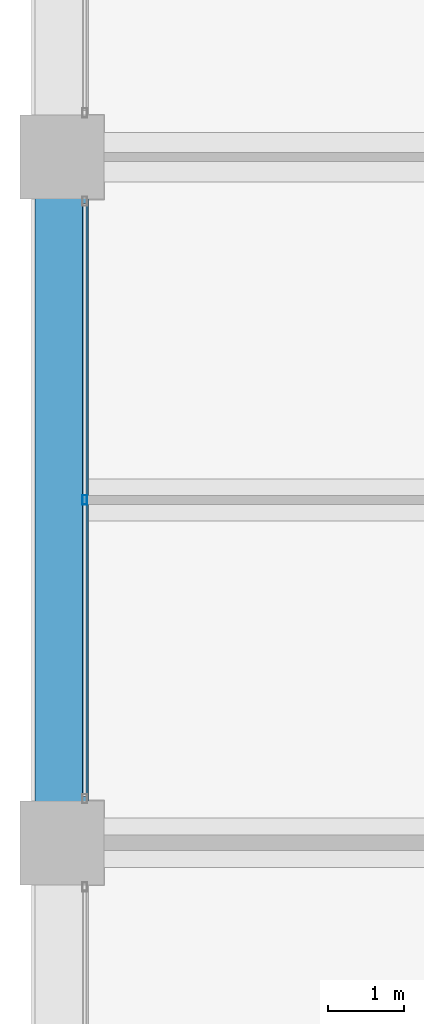
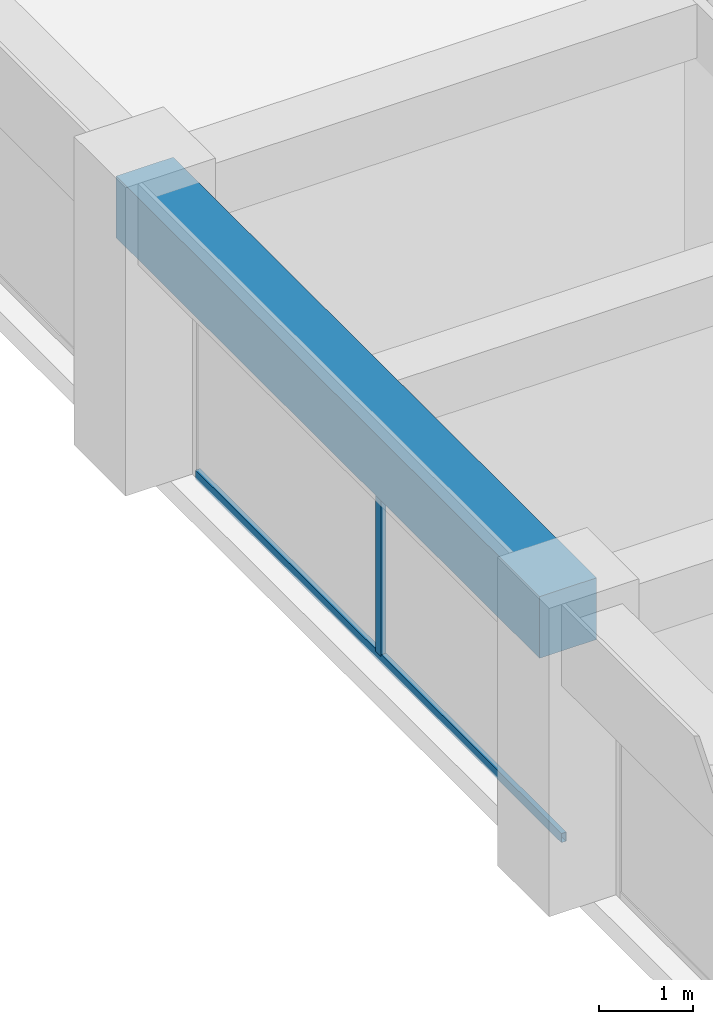
# One storey, part 14 of 44: 2 members, 1 beam, 1 element without a shape of its own.
"""IFC4 building model written with IfcOpenShell, lengths in metres."""

import ifcopenshell
import ifcopenshell.guid

model = None  # the IFC model being written
_history = None  # IfcOwnerHistory: only IFC2X3 demands one
_inside = {}  # id of a spatial element -> (the spatial element, [elements in it])
_under = {}  # id of a project, library or spatial element -> (it, [spatial elements below it])
_declared = {}  # id of a project -> (the project, [libraries it declares])
_typed = {}  # id of a type object -> (the type object, [elements of that type])
_made_of = {}  # id of a material, layer set ... -> (it, [elements and type objects made of it])


def new_model(schema):
    """Start an empty IFC model of exactly this schema.

    Asked for "IFC4X3", IfcOpenShell would pick the latest addendum, in which some entities
    have other attributes; the version numbers below select the first issue.
    IFC2X3 requires an IfcOwnerHistory on every rooted entity: one is made here for all.
    """
    global model, _history
    if schema == "IFC4X3":
        model = ifcopenshell.file(schema_version=(4, 3, 0, 0))
    else:
        model = ifcopenshell.file(schema=schema)
    _inside.clear()
    _under.clear()
    _declared.clear()
    _typed.clear()
    _made_of.clear()
    _history = None
    if model.schema == "IFC2X3":
        org = make("IfcOrganization", Name="unknown")
        user = make(
            "IfcPersonAndOrganization",
            ThePerson=make("IfcPerson", FamilyName="unknown"),
            TheOrganization=org,
        )
        app = make(
            "IfcApplication",
            ApplicationDeveloper=org,
            Version="unknown",
            ApplicationFullName="unknown",
            ApplicationIdentifier="unknown",
        )
        _history = make(
            "IfcOwnerHistory",
            OwningUser=user,
            OwningApplication=app,
            ChangeAction="ADDED",
            CreationDate=0,
        )
    return model


def make(cls, **values):
    """One entity of the class cls with the attributes given. An attribute that is None is left unset."""
    return model.create_entity(
        cls, **{name: value for name, value in values.items() if value is not None}
    )


def rooted(cls, **values):
    """An entity with a GlobalId (a new one), such as an element, a storey or a relation."""
    return make(cls, GlobalId=ifcopenshell.guid.new(), OwnerHistory=_history, **values)


def si_unit(unit_type, name, prefix=None):
    """IfcSIUnit, for example si_unit("LENGTHUNIT", "METRE", prefix="MILLI")."""
    return make("IfcSIUnit", UnitType=unit_type, Prefix=prefix, Name=name)


def assignment(units):
    """IfcUnitAssignment: the units of a project."""
    return None if units is None else make("IfcUnitAssignment", Units=units)


def point(xyz):
    """IfcCartesianPoint."""
    return None if xyz is None else make("IfcCartesianPoint", Coordinates=xyz)


def direction(xyz):
    """IfcDirection."""
    return None if xyz is None else make("IfcDirection", DirectionRatios=xyz)


def frame(location, z_axis=None, x_axis=None):
    """IfcAxis2Placement3D, a coordinate frame: its origin and axes. An axis left out is left unset."""
    return make(
        "IfcAxis2Placement3D",
        Location=point(location),
        Axis=direction(z_axis),
        RefDirection=direction(x_axis),
    )


def frame_2d(location, x_axis=None):
    """IfcAxis2Placement2D, a coordinate frame in the plane: its origin and x axis."""
    return make(
        "IfcAxis2Placement2D", Location=point(location), RefDirection=direction(x_axis)
    )


def origin():
    """The frame at (0, 0, 0) with its axes left unset."""
    return frame((0.0, 0.0, 0.0))


def origin_2d():
    """The frame at (0, 0) in the plane with its x axis left unset."""
    return frame_2d((0.0, 0.0))


def place(relative_to, where):
    """IfcLocalPlacement: puts the frame where relative to a parent placement (None: the world)."""
    return make(
        "IfcLocalPlacement", PlacementRelTo=relative_to, RelativePlacement=where
    )


def context(
    kind, dimensions, precision=None, world=None, true_north=None, identifier=None
):
    """IfcGeometricRepresentationContext, for example the 3D "Model" context."""
    return make(
        "IfcGeometricRepresentationContext",
        ContextIdentifier=identifier,
        ContextType=kind,
        CoordinateSpaceDimension=dimensions,
        Precision=precision,
        WorldCoordinateSystem=world,
        TrueNorth=true_north,
    )


def subcontext(parent, identifier, kind, view, scale=None):
    """IfcGeometricRepresentationSubContext, for example "Body" below "Model"."""
    return make(
        "IfcGeometricRepresentationSubContext",
        ContextIdentifier=identifier,
        ContextType=kind,
        ParentContext=parent,
        TargetScale=scale,
        TargetView=view,
    )


def project(units=None, contexts=None):
    """IfcProject with its units and contexts."""
    return rooted(
        "IfcProject",
        Name="project",
        RepresentationContexts=contexts,
        UnitsInContext=assignment(units),
    )


def spatial(cls, under=None, at=None, **own):
    """A site, building, storey or space (cls), placed at a placement, below another one or the project."""
    s = rooted(cls, ObjectPlacement=at, **own)
    if under is not None:
        _under.setdefault(under.id(), (under, []))[1].append(s)
    return s


def profile(cls, at=None, kind="AREA", **sizes):
    """A parametric profile (cls). Its sizes go by their IFC names, for example OverallWidth=200.0."""
    return make(cls, ProfileType=kind, Position=at, **sizes)


def rectangle(**sizes):
    """IfcRectangleProfileDef."""
    return profile("IfcRectangleProfileDef", **sizes)


def hollow_rectangle(**sizes):
    """IfcRectangleHollowProfileDef."""
    return profile("IfcRectangleHollowProfileDef", **sizes)


def extrude(swept, where, along, depth):
    """IfcExtrudedAreaSolid: the profile swept, set in the frame where, extruded along a direction by depth."""
    return make(
        "IfcExtrudedAreaSolid",
        SweptArea=swept,
        Position=where,
        ExtrudedDirection=direction(along),
        Depth=depth,
    )


def shape(context_of_items, identifier, shape_type, items):
    """IfcShapeRepresentation: the items that make up one representation, for example the "Body"."""
    return make(
        "IfcShapeRepresentation",
        ContextOfItems=context_of_items,
        RepresentationIdentifier=identifier,
        RepresentationType=shape_type,
        Items=items,
    )


def material(Name=None, Category=None):
    """IfcMaterial."""
    return make("IfcMaterial", Name=Name, Category=Category)


def material_profile(
    of_material, cross_section, Name=None, Category=None, Priority=None
):
    """IfcMaterialProfile: a cross section and its material."""
    return make(
        "IfcMaterialProfile",
        Name=Name,
        Material=of_material,
        Profile=cross_section,
        Priority=Priority,
        Category=Category,
    )


def profile_set(profiles, Name=None, composite=None):
    """IfcMaterialProfileSet."""
    return make(
        "IfcMaterialProfileSet",
        Name=Name,
        MaterialProfiles=profiles,
        CompositeProfile=composite,
    )


def made_of(thing, what):
    """Note that an element or type object is made of a material, layer set ...; save() writes the relation."""
    if what is not None:
        _made_of.setdefault(what.id(), (what, []))[1].append(thing)
    return thing


def type_object(cls, material=None, **own):
    """A type object (cls), such as IfcWallType, which elements share."""
    return made_of(rooted(cls, **own), material)


def element(
    cls,
    number,
    at=None,
    inside=None,
    cuts=None,
    type_object=None,
    material=None,
    context=None,
    identifier="Body",
    shape_type=None,
    held_by="IfcProductDefinitionShape",
    body=None,
    shapes=None,
    **own,
):
    """One element of the class cls, such as IfcWall. Its Tag is "e" and its number.

    at: its placement. inside: the storey or other place that contains it. cuts: it is an
    opening in that element (IfcRelVoidsElement). A single representation is given by context,
    identifier, shape_type and body (its items); several are given by shapes. held_by: the class
    of the entity that holds the representations. save() writes the other relations.
    """
    e = rooted(cls, Tag="e%d" % number, ObjectPlacement=at, **own)
    if body is not None:
        shapes = [shape(context, identifier, shape_type, body)]
    if shapes is not None:
        e.Representation = make(held_by, Representations=shapes)
    if inside is not None:
        _inside.setdefault(inside.id(), (inside, []))[1].append(e)
    if cuts is not None:
        rooted(
            "IfcRelVoidsElement", RelatingBuildingElement=cuts, RelatedOpeningElement=e
        )
    if type_object is not None:
        _typed.setdefault(type_object.id(), (type_object, []))[1].append(e)
    return made_of(e, material)


def aggregate(whole, parts):
    """IfcRelAggregates: a whole, such as a stair, and the parts it consists of."""
    return rooted("IfcRelAggregates", RelatingObject=whole, RelatedObjects=parts)


def save(model, path):
    """Write the relations noted so far, then the file.

    IfcRelAggregates (storeys below a building ...), IfcRelContainedInSpatialStructure (elements
    in a storey), IfcRelDefinesByType, IfcRelAssociatesMaterial and IfcRelDeclares: one each for
    every whole, place, type object, material and project.
    """
    for whole, parts in _under.values():
        aggregate(whole, parts)
    for where, things in _inside.values():
        rooted(
            "IfcRelContainedInSpatialStructure",
            RelatedElements=things,
            RelatingStructure=where,
        )
    for kind, things in _typed.values():
        rooted("IfcRelDefinesByType", RelatedObjects=things, RelatingType=kind)
    for what, things in _made_of.values():
        rooted("IfcRelAssociatesMaterial", RelatedObjects=things, RelatingMaterial=what)
    for by, libraries in _declared.values():
        rooted("IfcRelDeclares", RelatingContext=by, RelatedDefinitions=libraries)
    model.write(path)


model = new_model("IFC4")

# Units and contexts
model_context = context("Model", 3, precision=1e-05, world=origin(), true_north=direction((0.0, 1.0)))
body_context = subcontext(model_context, "Body", "Model", "MODEL_VIEW")
ifc_project = project(units=[si_unit("LENGTHUNIT", "METRE"), si_unit("AREAUNIT", "SQUARE_METRE"), si_unit("VOLUMEUNIT", "CUBIC_METRE"), si_unit("PLANEANGLEUNIT", "RADIAN"), si_unit("MASSUNIT", "GRAM", prefix="KILO")], contexts=[model_context])

# Site, building, storey
site_placement = place(None, origin())
site = spatial("IfcSite", under=ifc_project, at=site_placement, CompositionType="ELEMENT")
building_placement = place(site_placement, origin())
building = spatial("IfcBuilding", under=site, at=building_placement, Name="Zorevar Civic Tower", CompositionType="ELEMENT")
storey_placement = place(building_placement, frame((0.0, 0.0, 263.39990234375)))
storey = spatial("IfcBuildingStorey", under=building, at=storey_placement, Name="L64", CompositionType="ELEMENT", Elevation=263.39990234375)

# Curtain wall, members
ifc_material_1 = material(Name="Dark grey solar-control glass in black aluminium frame", Category="aluminium")
curtain_wall_type = type_object("IfcCurtainWallType", Name="Curtain wall CW5 top zone", PredefinedType="NOTDEFINED", material=ifc_material_1)
curtain_wall_placement = place(storey_placement, origin())
curtain_wall = element("IfcCurtainWall", 1, at=curtain_wall_placement, inside=storey, type_object=curtain_wall_type, Name="CW5 L64", PredefinedType="NOTDEFINED")
ifc_material_2 = material(Name="Aluminium, black anodised", Category="aluminium")
ifc_material_profile_1 = material_profile(ifc_material_2, hollow_rectangle(XDim=0.06005859375, YDim=0.1201171875, WallThickness=0.0029296875, at=origin_2d()), Name="AL 120x60x3")
ifc_profile_set_1 = profile_set([ifc_material_profile_1], Name="Aluminium, black anodised")
member_type_1 = type_object("IfcMemberType", Name="CW5 mullion AL 120x60x3", PredefinedType="MULLION", material=ifc_profile_set_1)
member_1_placement = place(storey_placement, frame((9.300048828125, 22.5, 0.06005859375), z_axis=(0.0, 0.0, 1.0), x_axis=(-1.0, 0.0, 0.0)))
member_1 = element("IfcMember", 2, at=member_1_placement, type_object=member_type_1, Name="CW5 mullion 2", PredefinedType="MULLION", context=body_context, shape_type="SweptSolid", body=[
    extrude(hollow_rectangle(XDim=0.06005859375, YDim=0.1201171875, WallThickness=0.0029296875, at=origin_2d()), origin(), (0.0, 0.0, 1.0), 2.89013671875),
])
ifc_material_3 = material(Name="Aluminium, black anodised", Category="aluminium")
ifc_material_profile_2 = material_profile(ifc_material_3, hollow_rectangle(XDim=0.06005859375, YDim=0.1201171875, WallThickness=0.0029296875, at=origin_2d()), Name="AL 120x60x3")
ifc_profile_set_2 = profile_set([ifc_material_profile_2], Name="Aluminium, black anodised")
member_type_2 = type_object("IfcMemberType", Name="CW5 transom AL 120x60x3", PredefinedType="USERDEFINED", material=ifc_profile_set_2)
member_2_placement = place(storey_placement, frame((9.300048828125, 18.610107421875, 0.030029296875), z_axis=(0.0, 1.0, 0.0), x_axis=(-1.0, 0.0, 0.0)))
member_2 = element("IfcMember", 3, at=member_2_placement, type_object=member_type_2, Name="CW5 sill transom", ObjectType="TRANSOM", PredefinedType="USERDEFINED", context=body_context, shape_type="SweptSolid", body=[
    extrude(hollow_rectangle(XDim=0.06005859375, YDim=0.1201171875, WallThickness=0.0029296875, at=origin_2d()), origin(), (0.0, 0.0, 1.0), 7.77978515625),
])
aggregate(curtain_wall, [member_1, member_2])

# Beam
ifc_material_4 = material(Name="Concrete C50/60", Category="concrete")
ifc_material_profile_3 = material_profile(ifc_material_4, rectangle(XDim=0.699951171875, YDim=0.800048828125, at=origin_2d()), Name="RC 700x800")
ifc_profile_set_3 = profile_set([ifc_material_profile_3], Name="Concrete C50/60")
beam_type = type_object("IfcBeamType", Name="Edge beam RC 700x800", PredefinedType="SPANDREL", material=ifc_profile_set_3)
beam_placement = place(storey_placement, frame((9.0, 18.0, 3.35009765625), z_axis=(0.0, 1.0, 0.0), x_axis=(-1.0, 0.0, 0.0)))
element("IfcBeam", 4, at=beam_placement, inside=storey, type_object=beam_type, Name="Edge beam L65", PredefinedType="SPANDREL", context=body_context, shape_type="SweptSolid", body=[
    extrude(rectangle(XDim=0.699951171875, YDim=0.800048828125, at=origin_2d()), origin(), (0.0, 0.0, 1.0), 9.0),
])

save(model, "model.ifc")
